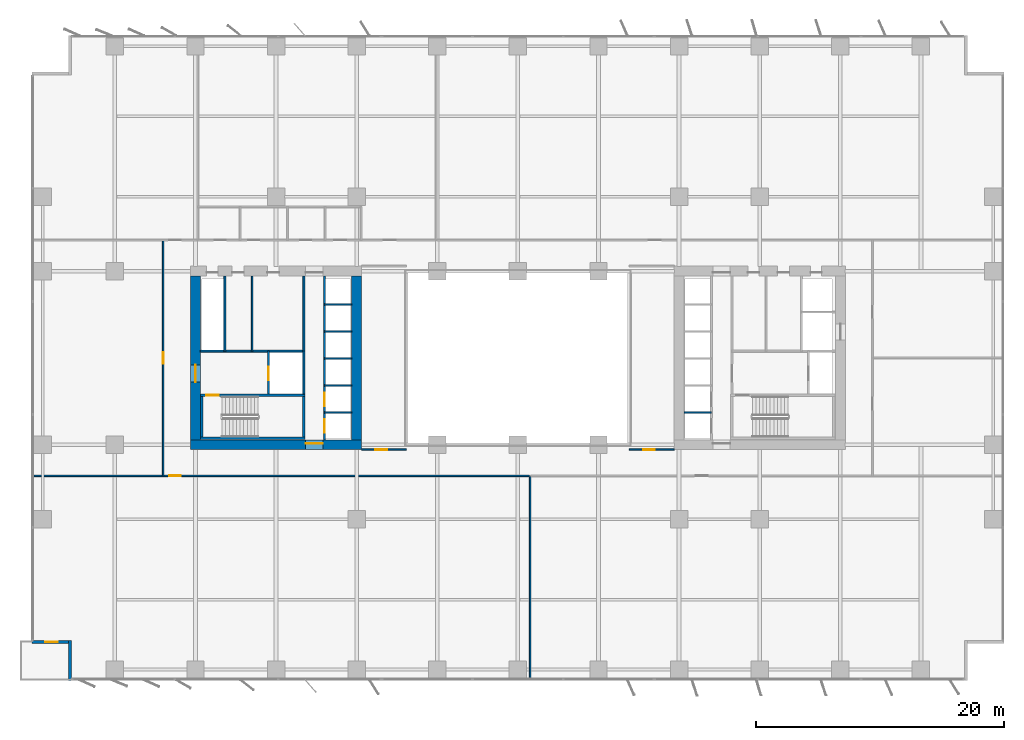
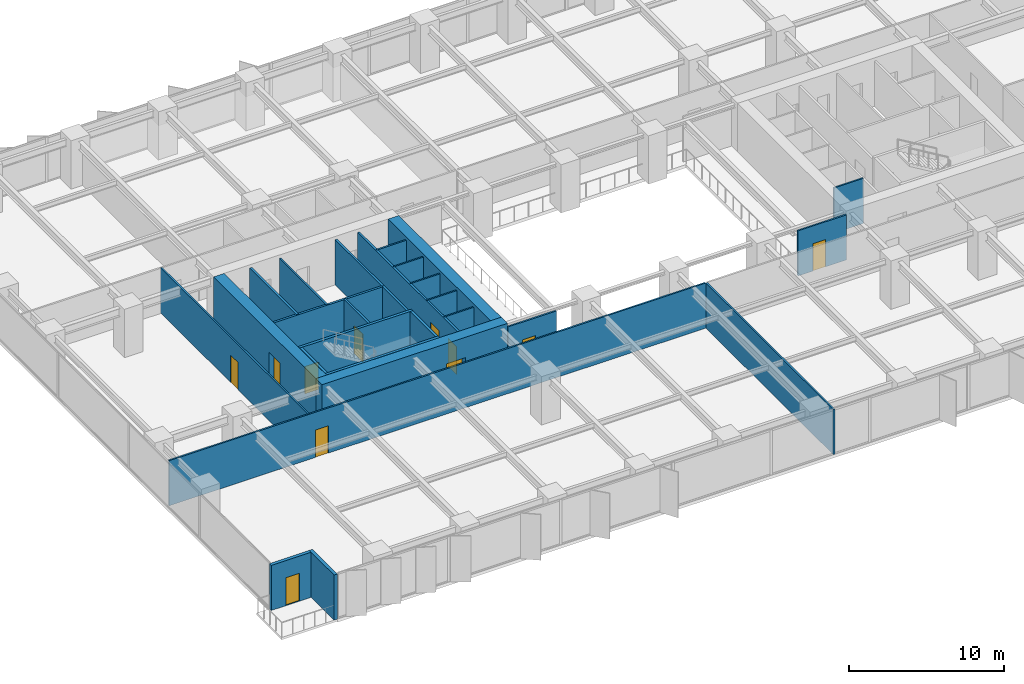
# One storey, part 13 of 20: 27 walls, 11 doors, 11 openings.
"""IFC4 building model written with IfcOpenShell, lengths in metres."""

from ifc_helpers import new_model, si_unit, direction, frame, frame_2d, origin, place, context, subcontext, project, spatial, rectangle, extrude, material, layer, layer_set, type_object, element, fill, save


model = new_model("IFC4")

# Units and contexts
model_context = context("Model", 3, precision=1e-05, world=origin(), true_north=direction((0.0, 1.0)))
body_context = subcontext(model_context, "Body", "Model", "MODEL_VIEW")
ifc_project = project(units=[si_unit("LENGTHUNIT", "METRE"), si_unit("AREAUNIT", "SQUARE_METRE"), si_unit("VOLUMEUNIT", "CUBIC_METRE"), si_unit("PLANEANGLEUNIT", "RADIAN"), si_unit("MASSUNIT", "GRAM", prefix="KILO")], contexts=[model_context])

# Site, building, storey
site_placement = place(None, origin())
site = spatial("IfcSite", under=ifc_project, at=site_placement, CompositionType="ELEMENT")
building_placement = place(site_placement, origin())
building = spatial("IfcBuilding", under=site, at=building_placement, Name="Putna Gate Headquarters", CompositionType="ELEMENT")
storey_placement = place(building_placement, frame((0.0, 0.0, 27.800048828125)))
storey = spatial("IfcBuildingStorey", under=building, at=storey_placement, Name="L05", CompositionType="ELEMENT", Elevation=27.800048828125)

# Wall, opening, door
ifc_material_1 = material(Name="Concrete C60/75", Category="concrete")
ifc_layer_1 = layer(ifc_material_1, 0.800048828125)
ifc_layer_set_1 = layer_set([ifc_layer_1], Name="Concrete C60/75")
wall_type_1 = type_object("IfcWallType", Name="WALL-CORE-800", PredefinedType="SHEAR", material=ifc_layer_set_1)
wall_1_placement = place(storey_placement, frame((12.60009765625, 19.0, 0.0), z_axis=(0.0, 0.0, 1.0), x_axis=(1.0, 0.0, 0.0)))
wall_1 = element("IfcWall", 1, at=wall_1_placement, inside=storey, type_object=wall_type_1, Name="L05 WC Split Core Shear Wall S", PredefinedType="SHEAR", context=body_context, shape_type="SweptSolid", body=[
    extrude(rectangle(XDim=13.7998046875, YDim=0.800048828125, at=frame_2d((6.89990234375, 0.0))), origin(), (0.0, 0.0, 1.0), 3.800048828125),
])
opening_1_placement = place(wall_1_placement, frame((9.280029296875, 0.0, 0.0)))
opening_1 = element("IfcOpeningElement", 2, at=opening_1_placement, cuts=wall_1, Name="Opening FDD-140", PredefinedType="OPENING", context=body_context, shape_type="SweptSolid", body=[
    extrude(rectangle(XDim=1.39990234375, YDim=2.199951171875, at=frame_2d((0.699951171875, 1.10009765625))), frame((0.0, 0.409912109375, 0.0), z_axis=(0.0, -1.0, 0.0), x_axis=(1.0, 0.0, 0.0)), (0.0, 0.0, 1.0), 0.820068359375),
])
ifc_material_2 = material(Name="Double steel fire door", Category="steel")
door_type_1 = type_object("IfcDoorType", Name="DOOR-FIRE-DBL-1400", OperationType="DOUBLE_DOOR_SINGLE_SWING", PredefinedType="DOOR", material=ifc_material_2)
door_1_placement = place(opening_1_placement, origin())
door_1 = element("IfcDoor", 3, at=door_1_placement, inside=storey, type_object=door_type_1, Name="L05 West Lift Lobby South Door", OperationType="DOUBLE_DOOR_SINGLE_SWING", OverallHeight=2.199951171875, OverallWidth=1.39990234375, PredefinedType="DOOR", context=body_context, shape_type="SweptSolid", body=[
    extrude(rectangle(XDim=1.39990234375, YDim=2.199951171875, at=frame_2d((0.699951171875, 1.10009765625))), frame((0.0, 0.125, 0.0), z_axis=(0.0, -1.0, 0.0), x_axis=(1.0, 0.0, 0.0)), (0.0, 0.0, 1.0), 0.050048828125),
])
fill(opening_1, door_1)

wall_2_placement = place(storey_placement, frame((13.0, 19.39990234375, 0.0), z_axis=(0.0, 0.0, 1.0), x_axis=(0.0, 1.0, 0.0)))
wall_2 = element("IfcWall", 4, at=wall_2_placement, inside=storey, type_object=wall_type_1, Name="L05 WC Split Core Shear Wall W", PredefinedType="SHEAR", context=body_context, shape_type="SweptSolid", body=[
    extrude(rectangle(XDim=13.2001953125, YDim=0.800048828125, at=frame_2d((6.60009765625, 0.0))), origin(), (0.0, 0.0, 1.0), 3.800048828125),
])
opening_2_placement = place(wall_2_placement, frame((4.64990234375, 0.0, 0.0)))
opening_2 = element("IfcOpeningElement", 5, at=opening_2_placement, cuts=wall_2, Name="Opening FDD-140", PredefinedType="OPENING", context=body_context, shape_type="SweptSolid", body=[
    extrude(rectangle(XDim=1.39990234375, YDim=2.199951171875, at=frame_2d((0.699951171875, 1.10009765625))), frame((0.0, 0.409912109375, 0.0), z_axis=(0.0, -1.0, 0.0), x_axis=(1.0, 0.0, 0.0)), (0.0, 0.0, 1.0), 0.820068359375),
])
door_2_placement = place(opening_2_placement, origin())
door_2 = element("IfcDoor", 6, at=door_2_placement, inside=storey, type_object=door_type_1, Name="L05 West Firefighting Lobby Door", OperationType="DOUBLE_DOOR_SINGLE_SWING", OverallHeight=2.199951171875, OverallWidth=1.39990234375, PredefinedType="DOOR", context=body_context, shape_type="SweptSolid", body=[
    extrude(rectangle(XDim=1.39990234375, YDim=2.199951171875, at=frame_2d((0.699951171875, 1.10009765625))), frame((0.0, 0.02490234375, 0.0), z_axis=(0.0, -1.0, 0.0), x_axis=(1.0, 0.0, 0.0)), (0.0, 0.0, 1.0), 0.050048828125),
])
fill(opening_2, door_2)

# Walls
wall_3_placement = place(storey_placement, frame((26.0, 19.39990234375, 0.0), z_axis=(0.0, 0.0, 1.0), x_axis=(0.0, 1.0, 0.0)))
element("IfcWall", 7, at=wall_3_placement, inside=storey, type_object=wall_type_1, Name="L05 WC Split Core Shear Wall E", PredefinedType="SHEAR", context=body_context, shape_type="SweptSolid", body=[
    extrude(rectangle(XDim=13.2001953125, YDim=0.800048828125, at=frame_2d((6.60009765625, 0.0))), origin(), (0.0, 0.0, 1.0), 3.800048828125),
])
ifc_material_3 = material(Name="Precast concrete C40/50", Category="concrete")
ifc_layer_2 = layer(ifc_material_3, 0.239990234375)
ifc_layer_set_2 = layer_set([ifc_layer_2], Name="Precast concrete C40/50")
wall_type_2 = type_object("IfcWallType", Name="WALL-EXT-TERR-240", PredefinedType="STANDARD", material=ifc_layer_set_2)
wall_4_placement = place(storey_placement, frame((2.8798828125, 0.0, 0.0), z_axis=(0.0, 0.0, 1.0), x_axis=(0.0, 1.0, 0.0)))
element("IfcWall", 8, at=wall_4_placement, inside=storey, type_object=wall_type_2, Name="L05 Corner Notch Return Wall SW-V", PredefinedType="STANDARD", context=body_context, shape_type="SweptSolid", body=[
    extrude(rectangle(XDim=3.199951171875, YDim=0.239990234375, at=frame_2d((1.60009765625, 0.0))), origin(), (0.0, 0.0, 1.0), 3.550048828125),
])

# Wall, opening, door
wall_5_placement = place(storey_placement, frame((3.0, 3.080078125, 0.0), z_axis=(0.0, 0.0, 1.0), x_axis=(-1.0, 0.0, 0.0)))
wall_5 = element("IfcWall", 9, at=wall_5_placement, inside=storey, type_object=wall_type_2, Name="L05 Corner Notch Return Wall SW-H", PredefinedType="STANDARD", context=body_context, shape_type="SweptSolid", body=[
    extrude(rectangle(XDim=3.199951171875, YDim=0.239990234375, at=frame_2d((1.60009765625, 0.0))), origin(), (0.0, 0.0, 1.0), 3.550048828125),
])
opening_3_placement = place(wall_5_placement, frame((1.10009765625, 0.0, 0.0)))
opening_3 = element("IfcOpeningElement", 10, at=opening_3_placement, cuts=wall_5, Name="Opening TRD-1", PredefinedType="OPENING", context=body_context, shape_type="SweptSolid", body=[
    extrude(rectangle(XDim=1.0, YDim=2.199951171875, at=frame_2d((0.5, 1.10009765625))), frame((0.0, 0.1298828125, 0.0), z_axis=(0.0, -1.0, 0.0), x_axis=(1.0, 0.0, 0.0)), (0.0, 0.0, 1.0), 0.260009765625),
])
ifc_material_4 = material(Name="Thermally broken bronze glazed terrace door")
door_type_2 = type_object("IfcDoorType", Name="DOOR-TERR-EXT-1000", OperationType="NOTDEFINED", PredefinedType="DOOR", material=ifc_material_4)
door_3_placement = place(opening_3_placement, origin())
door_3 = element("IfcDoor", 11, at=door_3_placement, inside=storey, type_object=door_type_2, Name="L05 Spiral Sky Terrace Door SW", OperationType="SINGLE_SWING_LEFT", OverallHeight=2.199951171875, OverallWidth=1.0, PredefinedType="DOOR", context=body_context, shape_type="SweptSolid", body=[
    extrude(rectangle(XDim=1.0, YDim=2.199951171875, at=frame_2d((0.5, 1.10009765625))), frame((0.0, 0.02490234375, 0.0), z_axis=(0.0, -1.0, 0.0), x_axis=(1.0, 0.0, 0.0)), (0.0, 0.0, 1.0), 0.050048828125),
])
fill(opening_3, door_3)

ifc_material_5 = material(Name="Acoustic gypsum board on metal stud")
ifc_layer_3 = layer(ifc_material_5, 0.1201171875)
ifc_layer_set_3 = layer_set([ifc_layer_3], Name="Acoustic gypsum board on metal stud")
wall_type_3 = type_object("IfcWallType", Name="WALL-PART-120", PredefinedType="PARTITIONING", material=ifc_layer_set_3)
wall_6_placement = place(storey_placement, frame((26.39990234375, 18.60009765625, 0.0), z_axis=(0.0, 0.0, 1.0), x_axis=(1.0, 0.0, 0.0)))
wall_6 = element("IfcWall", 12, at=wall_6_placement, inside=storey, type_object=wall_type_3, Name="L05 Interior Wall PART-L05-ATR-W-S", PredefinedType="PARTITIONING", context=body_context, shape_type="SweptSolid", body=[
    extrude(rectangle(XDim=3.60009765625, YDim=0.1201171875, at=frame_2d((1.800048828125, 0.0))), origin(), (0.0, 0.0, 1.0), 3.550048828125),
])
opening_4_placement = place(wall_6_placement, frame((1.10009765625, 0.0, 0.0)))
opening_4 = element("IfcOpeningElement", 13, at=opening_4_placement, cuts=wall_6, Name="Opening ID-95", PredefinedType="OPENING", context=body_context, shape_type="SweptSolid", body=[
    extrude(rectangle(XDim=0.949951171875, YDim=2.14990234375, at=frame_2d((0.47509765625, 1.074951171875))), frame((0.0, 0.070068359375, 0.0), z_axis=(0.0, -1.0, 0.0), x_axis=(1.0, 0.0, 0.0)), (0.0, 0.0, 1.0), 0.14013671875),
])
ifc_material_6 = material(Name="Veneered acoustic timber door", Category="wood")
door_type_3 = type_object("IfcDoorType", Name="DOOR-OFF-950", OperationType="NOTDEFINED", PredefinedType="DOOR", material=ifc_material_6)
door_4_placement = place(opening_4_placement, origin())
door_4 = element("IfcDoor", 14, at=door_4_placement, inside=storey, type_object=door_type_3, Name="L05 West Atrium Gallery Lounge Door", OperationType="SINGLE_SWING_LEFT", OverallHeight=2.14990234375, OverallWidth=0.949951171875, PredefinedType="DOOR", context=body_context, shape_type="SweptSolid", body=[
    extrude(rectangle(XDim=0.949951171875, YDim=2.14990234375, at=frame_2d((0.47509765625, 1.074951171875))), frame((0.0, 0.02490234375, 0.0), z_axis=(0.0, -1.0, 0.0), x_axis=(1.0, 0.0, 0.0)), (0.0, 0.0, 1.0), 0.050048828125),
])
fill(opening_4, door_4)

wall_7_placement = place(storey_placement, frame((48.0, 18.60009765625, 0.0), z_axis=(0.0, 0.0, 1.0), x_axis=(1.0, 0.0, 0.0)))
wall_7 = element("IfcWall", 15, at=wall_7_placement, inside=storey, type_object=wall_type_3, Name="L05 Interior Wall PART-L05-ATR-E-S", PredefinedType="PARTITIONING", context=body_context, shape_type="SweptSolid", body=[
    extrude(rectangle(XDim=3.60009765625, YDim=0.1201171875, at=frame_2d((1.800048828125, 0.0))), origin(), (0.0, 0.0, 1.0), 3.550048828125),
])
opening_5_placement = place(wall_7_placement, frame((1.10009765625, 0.0, 0.0)))
opening_5 = element("IfcOpeningElement", 16, at=opening_5_placement, cuts=wall_7, Name="Opening ID-95", PredefinedType="OPENING", context=body_context, shape_type="SweptSolid", body=[
    extrude(rectangle(XDim=0.949951171875, YDim=2.14990234375, at=frame_2d((0.47509765625, 1.074951171875))), frame((0.0, 0.070068359375, 0.0), z_axis=(0.0, -1.0, 0.0), x_axis=(1.0, 0.0, 0.0)), (0.0, 0.0, 1.0), 0.14013671875),
])
door_5_placement = place(opening_5_placement, origin())
door_5 = element("IfcDoor", 17, at=door_5_placement, inside=storey, type_object=door_type_3, Name="L05 East Atrium Gallery Lounge Door", OperationType="SINGLE_SWING_RIGHT", OverallHeight=2.14990234375, OverallWidth=0.949951171875, PredefinedType="DOOR", context=body_context, shape_type="SweptSolid", body=[
    extrude(rectangle(XDim=0.949951171875, YDim=2.14990234375, at=frame_2d((0.47509765625, 1.074951171875))), frame((0.0, 0.02490234375, 0.0), z_axis=(0.0, -1.0, 0.0), x_axis=(1.0, 0.0, 0.0)), (0.0, 0.0, 1.0), 0.050048828125),
])
fill(opening_5, door_5)

# Walls
wall_8_placement = place(storey_placement, frame((39.9833984375, 0.02001953125, 0.0), z_axis=(0.0, 0.0, 1.0), x_axis=(0.0, 1.0, 0.0)))
element("IfcWall", 18, at=wall_8_placement, inside=storey, type_object=wall_type_3, Name="L05 Interior Wall PART-L05-SB-DIV-01", PredefinedType="PARTITIONING", context=body_context, shape_type="SweptSolid", body=[
    extrude(rectangle(XDim=16.419921875, YDim=0.1201171875, at=frame_2d((8.2099609375, 0.0))), origin(), (0.0, 0.0, 1.0), 3.550048828125),
])
ifc_material_7 = material(Name="Fire-rated shaftwall gypsum board on metal stud")
ifc_layer_4 = layer(ifc_material_7, 0.1201171875)
ifc_layer_set_4 = layer_set([ifc_layer_4], Name="Fire-rated shaftwall gypsum board on metal stud")
wall_type_4 = type_object("IfcWallType", Name="WALL-PART-120-EI120", PredefinedType="PARTITIONING", material=ifc_layer_set_4)
for number, where, z_axis, x_axis, name in (
    (19, (23.39990234375, 21.610107421875, 0.0), (0.0, 0.0, 1.0), (1.0, 0.0, 0.0), "L05 Interior Wall CWINT-L05-WC-LF01-DIV"),
    (20, (23.39990234375, 23.780029296875, 0.0), (0.0, 0.0, 1.0), (1.0, 0.0, 0.0), "L05 Interior Wall CWINT-L05-WC-LF02-DIV"),
    (21, (23.39990234375, 25.949951171875, 0.0), (0.0, 0.0, 1.0), (1.0, 0.0, 0.0), "L05 Interior Wall CWINT-L05-WC-LF05-DIV"),
    (22, (23.39990234375, 28.1201171875, 0.0), (0.0, 0.0, 1.0), (1.0, 0.0, 0.0), "L05 Interior Wall CWINT-L05-WC-LF06-DIV"),
    (23, (23.39990234375, 30.31005859375, 0.0), (0.0, 0.0, 1.0), (1.0, 0.0, 0.0), "L05 Interior Wall CWINT-L05-WC-LF09-DIV"),
    (24, (52.39990234375, 21.610107421875, 0.0), (0.0, 0.0, 1.0), (1.0, 0.0, 0.0), "L05 Interior Wall CWINT-L05-EC-LF03-DIV"),
):
    element("IfcWall", number, at=place(storey_placement, frame(where, z_axis=z_axis, x_axis=x_axis)), inside=storey, type_object=wall_type_4, Name=name, PredefinedType="PARTITIONING", context=body_context, shape_type="SweptSolid", body=[
        extrude(rectangle(XDim=2.2001953125, YDim=0.1201171875, at=frame_2d((1.10009765625, 0.0))), origin(), (0.0, 0.0, 1.0), 3.550048828125),
    ])
ifc_material_8 = material(Name="Fire-rated gypsum board on metal stud")
ifc_layer_5 = layer(ifc_material_8, 0.1201171875)
ifc_layer_set_5 = layer_set([ifc_layer_5], Name="Fire-rated gypsum board on metal stud")
wall_type_5 = type_object("IfcWallType", Name="WALL-PART-120-RATED", PredefinedType="PARTITIONING", material=ifc_layer_set_5)
wall_9_placement = place(storey_placement, frame((17.570068359375, 26.56005859375, 0.0), z_axis=(0.0, 0.0, 1.0), x_axis=(0.0, 1.0, 0.0)))
element("IfcWall", 25, at=wall_9_placement, inside=storey, type_object=wall_type_5, Name="L05 Interior Wall CWINT-L05-WC-K1-DIV", PredefinedType="PARTITIONING", context=body_context, shape_type="SweptSolid", body=[
    extrude(rectangle(XDim=6.0400390625, YDim=0.1201171875, at=frame_2d((3.02001953125, 0.0))), origin(), (0.0, 0.0, 1.0), 3.550048828125),
])

# Wall, opening, door
wall_10_placement = place(storey_placement, frame((-0.02001953125, 16.5, 0.0), z_axis=(0.0, 0.0, 1.0), x_axis=(1.0, 0.0, 0.0)))
wall_10 = element("IfcWall", 26, at=wall_10_placement, inside=storey, type_object=wall_type_5, Name="L05 Interior Wall PART-L05-SB-CW-01", PredefinedType="PARTITIONING", context=body_context, shape_type="SweptSolid", body=[
    extrude(rectangle(XDim=39.943359375, YDim=0.1201171875, at=frame_2d((19.9716796875, 0.0))), origin(), (0.0, 0.0, 1.0), 3.550048828125),
])
opening_6_placement = place(wall_10_placement, frame((10.89990234375, 0.0, 0.0)))
opening_6 = element("IfcOpeningElement", 27, at=opening_6_placement, cuts=wall_10, Name="Opening FD-95", PredefinedType="OPENING", context=body_context, shape_type="SweptSolid", body=[
    extrude(rectangle(XDim=0.949951171875, YDim=2.14990234375, at=frame_2d((0.47509765625, 1.074951171875))), frame((0.0, 0.070068359375, 0.0), z_axis=(0.0, -1.0, 0.0), x_axis=(1.0, 0.0, 0.0)), (0.0, 0.0, 1.0), 0.14013671875),
])
ifc_material_9 = material(Name="Acoustic timber fire door", Category="wood")
door_type_4 = type_object("IfcDoorType", Name="DOOR-FIRE-950", OperationType="NOTDEFINED", PredefinedType="DOOR", material=ifc_material_9)
door_6_placement = place(opening_6_placement, origin())
door_6 = element("IfcDoor", 28, at=door_6_placement, inside=storey, type_object=door_type_4, Name="L05 Quiet Wellness Focus Studio 1 Door", OperationType="SINGLE_SWING_RIGHT", OverallHeight=2.14990234375, OverallWidth=0.949951171875, PredefinedType="DOOR", context=body_context, shape_type="SweptSolid", body=[
    extrude(rectangle(XDim=0.949951171875, YDim=2.14990234375, at=frame_2d((0.47509765625, 1.074951171875))), frame((0.0, 0.02490234375, 0.0), z_axis=(0.0, -1.0, 0.0), x_axis=(1.0, 0.0, 0.0)), (0.0, 0.0, 1.0), 0.050048828125),
])
fill(opening_6, door_6)

wall_11_placement = place(storey_placement, frame((10.39990234375, 16.5, 0.0), z_axis=(0.0, 0.0, 1.0), x_axis=(0.0, 1.0, 0.0)))
wall_11 = element("IfcWall", 29, at=wall_11_placement, inside=storey, type_object=wall_type_5, Name="L05 Interior Wall PART-L05-WW-CW-1", PredefinedType="PARTITIONING", context=body_context, shape_type="SweptSolid", body=[
    extrude(rectangle(XDim=19.0, YDim=0.1201171875, at=frame_2d((9.5, 0.0))), origin(), (0.0, 0.0, 1.0), 3.550048828125),
])
opening_7_placement = place(wall_11_placement, frame((9.02490234375, 0.0, 0.0)))
opening_7 = element("IfcOpeningElement", 30, at=opening_7_placement, cuts=wall_11, Name="Opening FD-95", PredefinedType="OPENING", context=body_context, shape_type="SweptSolid", body=[
    extrude(rectangle(XDim=0.949951171875, YDim=2.14990234375, at=frame_2d((0.47509765625, 1.074951171875))), frame((0.0, 0.070068359375, 0.0), z_axis=(0.0, -1.0, 0.0), x_axis=(1.0, 0.0, 0.0)), (0.0, 0.0, 1.0), 0.14013671875),
])
door_7_placement = place(opening_7_placement, origin())
door_7 = element("IfcDoor", 31, at=door_7_placement, inside=storey, type_object=door_type_4, Name="L05 West Project Meeting Room 1 Door", OperationType="SINGLE_SWING_RIGHT", OverallHeight=2.14990234375, OverallWidth=0.949951171875, PredefinedType="DOOR", context=body_context, shape_type="SweptSolid", body=[
    extrude(rectangle(XDim=0.949951171875, YDim=2.14990234375, at=frame_2d((0.47509765625, 1.074951171875))), frame((0.0, 0.02490234375, 0.0), z_axis=(0.0, -1.0, 0.0), x_axis=(1.0, 0.0, 0.0)), (0.0, 0.0, 1.0), 0.050048828125),
])
fill(opening_7, door_7)

# Wall
ifc_material_10 = material(Name="Concrete C40/50", Category="concrete")
ifc_layer_6 = layer(ifc_material_10, 0.159912109375)
ifc_layer_set_6 = layer_set([ifc_layer_6], Name="Concrete C40/50")
wall_type_6 = type_object("IfcWallType", Name="WALL-SHAFT-160", PredefinedType="STANDARD", material=ifc_layer_set_6)
wall_12_placement = place(storey_placement, frame((21.739990234375, 23.090087890625, 0.0), z_axis=(0.0, 0.0, 1.0), x_axis=(0.0, 1.0, 0.0)))
element("IfcWall", 32, at=wall_12_placement, inside=storey, type_object=wall_type_6, Name="L05 Interior Wall CWINT-L05-WC-FFL-E", PredefinedType="STANDARD", context=body_context, shape_type="SweptSolid", body=[
    extrude(rectangle(XDim=3.469970703125, YDim=0.159912109375, at=frame_2d((1.73486328125, 0.0))), origin(), (0.0, 0.0, 1.0), 3.550048828125),
])

# Wall, opening, door
wall_13_placement = place(storey_placement, frame((18.8798828125, 23.090087890625, 0.0), z_axis=(0.0, 0.0, 1.0), x_axis=(0.0, 1.0, 0.0)))
wall_13 = element("IfcWall", 33, at=wall_13_placement, inside=storey, type_object=wall_type_6, Name="L05 Interior Wall CWINT-L05-WC-LF13-W", PredefinedType="STANDARD", context=body_context, shape_type="SweptSolid", body=[
    extrude(rectangle(XDim=3.469970703125, YDim=0.159912109375, at=frame_2d((1.73486328125, 0.0))), origin(), (0.0, 0.0, 1.0), 3.550048828125),
])
opening_8_placement = place(wall_13_placement, frame((1.10009765625, 0.0, 0.0)))
opening_8 = element("IfcOpeningElement", 34, at=opening_8_placement, cuts=wall_13, Name="Opening LD-1", PredefinedType="OPENING", context=body_context, shape_type="SweptSolid", body=[
    extrude(rectangle(XDim=1.10009765625, YDim=2.199951171875, at=frame_2d((0.550048828125, 1.10009765625))), frame((0.0, 0.08984375, 0.0), z_axis=(0.0, -1.0, 0.0), x_axis=(1.0, 0.0, 0.0)), (0.0, 0.0, 1.0), 0.179931640625),
])
ifc_material_11 = material(Name="Brushed bronze stainless lift landing door")
door_type_5 = type_object("IfcDoorType", Name="DOOR-LIFT-1100", OperationType="DOUBLE_DOOR_SLIDING", PredefinedType="DOOR", material=ifc_material_11)
door_8_placement = place(opening_8_placement, origin())
door_8 = element("IfcDoor", 35, at=door_8_placement, inside=storey, type_object=door_type_5, Name="L05 Lift Landing Door LD-13", OperationType="DOUBLE_DOOR_SLIDING", OverallHeight=2.199951171875, OverallWidth=1.10009765625, PredefinedType="DOOR", context=body_context, shape_type="SweptSolid", body=[
    extrude(rectangle(XDim=1.10009765625, YDim=2.199951171875, at=frame_2d((0.550048828125, 1.10009765625))), frame((0.0, 0.02490234375, 0.0), z_axis=(0.0, -1.0, 0.0), x_axis=(1.0, 0.0, 0.0)), (0.0, 0.0, 1.0), 0.050048828125),
])
fill(opening_8, door_8)

# Walls
wall_14_placement = place(storey_placement, frame((13.39990234375, 26.56005859375, 0.0), z_axis=(0.0, 0.0, 1.0), x_axis=(1.0, 0.0, 0.0)))
element("IfcWall", 36, at=wall_14_placement, inside=storey, type_object=wall_type_6, Name="L05 Interior Wall CWINT-L05-WC-FFL-N", PredefinedType="STANDARD", context=body_context, shape_type="SweptSolid", body=[
    extrude(rectangle(XDim=8.340087890625, YDim=0.159912109375, at=frame_2d((4.169921875, 0.0))), origin(), (0.0, 0.0, 1.0), 3.550048828125),
])
for number, where, z_axis, x_axis, name in (
    (37, (15.3798828125, 26.56005859375, 0.0), (0.0, 0.0, 1.0), (0.0, 1.0, 0.0), "L05 Interior Wall CWINT-L05-WC-RISER-E"),
    (38, (21.739990234375, 26.56005859375, 0.0), (0.0, 0.0, 1.0), (0.0, 1.0, 0.0), "L05 Interior Wall CWINT-L05-WC-LOB-W"),
):
    element("IfcWall", number, at=place(storey_placement, frame(where, z_axis=z_axis, x_axis=x_axis)), inside=storey, type_object=wall_type_6, Name=name, PredefinedType="STANDARD", context=body_context, shape_type="SweptSolid", body=[
        extrude(rectangle(XDim=6.0400390625, YDim=0.159912109375, at=frame_2d((3.02001953125, 0.0))), origin(), (0.0, 0.0, 1.0), 3.550048828125),
    ])

# Wall, openings, doors
wall_15_placement = place(storey_placement, frame((23.39990234375, 19.39990234375, 0.0), z_axis=(0.0, 0.0, 1.0), x_axis=(0.0, 1.0, 0.0)))
wall_15 = element("IfcWall", 39, at=wall_15_placement, inside=storey, type_object=wall_type_6, Name="L05 Interior Wall CWINT-L05-WC-PL-WALL", PredefinedType="STANDARD", context=body_context, shape_type="SweptSolid", body=[
    extrude(rectangle(XDim=13.2001953125, YDim=0.159912109375, at=frame_2d((6.60009765625, 0.0))), origin(), (0.0, 0.0, 1.0), 3.550048828125),
])
opening_9_placement = place(wall_15_placement, frame((0.550048828125, 0.0, 0.0)))
opening_9 = element("IfcOpeningElement", 40, at=opening_9_placement, cuts=wall_15, Name="Opening LD-1", PredefinedType="OPENING", context=body_context, shape_type="SweptSolid", body=[
    extrude(rectangle(XDim=1.10009765625, YDim=2.199951171875, at=frame_2d((0.550048828125, 1.10009765625))), frame((0.0, 0.08984375, 0.0), z_axis=(0.0, -1.0, 0.0), x_axis=(1.0, 0.0, 0.0)), (0.0, 0.0, 1.0), 0.179931640625),
])
opening_10_placement = place(wall_15_placement, frame((2.699951171875, 0.0, 0.0)))
opening_10 = element("IfcOpeningElement", 41, at=opening_10_placement, cuts=wall_15, Name="Opening LD-1", PredefinedType="OPENING", context=body_context, shape_type="SweptSolid", body=[
    extrude(rectangle(XDim=1.10009765625, YDim=2.199951171875, at=frame_2d((0.550048828125, 1.10009765625))), frame((0.0, 0.08984375, 0.0), z_axis=(0.0, -1.0, 0.0), x_axis=(1.0, 0.0, 0.0)), (0.0, 0.0, 1.0), 0.179931640625),
])
door_9_placement = place(opening_9_placement, origin())
door_9 = element("IfcDoor", 42, at=door_9_placement, inside=storey, type_object=door_type_5, Name="L05 Lift Landing Door LD-01", OperationType="DOUBLE_DOOR_SLIDING", OverallHeight=2.199951171875, OverallWidth=1.10009765625, PredefinedType="DOOR", context=body_context, shape_type="SweptSolid", body=[
    extrude(rectangle(XDim=1.10009765625, YDim=2.199951171875, at=frame_2d((0.550048828125, 1.10009765625))), frame((0.0, 0.02490234375, 0.0), z_axis=(0.0, -1.0, 0.0), x_axis=(1.0, 0.0, 0.0)), (0.0, 0.0, 1.0), 0.050048828125),
])
fill(opening_9, door_9)
door_10_placement = place(opening_10_placement, origin())
door_10 = element("IfcDoor", 43, at=door_10_placement, inside=storey, type_object=door_type_5, Name="L05 Lift Landing Door LD-02", OperationType="DOUBLE_DOOR_SLIDING", OverallHeight=2.199951171875, OverallWidth=1.10009765625, PredefinedType="DOOR", context=body_context, shape_type="SweptSolid", body=[
    extrude(rectangle(XDim=1.10009765625, YDim=2.199951171875, at=frame_2d((0.550048828125, 1.10009765625))), frame((0.0, 0.02490234375, 0.0), z_axis=(0.0, -1.0, 0.0), x_axis=(1.0, 0.0, 0.0)), (0.0, 0.0, 1.0), 0.050048828125),
])
fill(opening_10, door_10)

# Wall
ifc_layer_7 = layer(ifc_material_10, 0.199951171875)
ifc_layer_set_7 = layer_set([ifc_layer_7], Name="Concrete C40/50")
wall_type_7 = type_object("IfcWallType", Name="WALL-SHAFT-RC200", PredefinedType="SHEAR", material=ifc_layer_set_7)
wall_16_placement = place(storey_placement, frame((13.409912109375, 19.510009765625, 0.0), z_axis=(0.0, 0.0, 1.0), x_axis=(1.0, 0.0, 0.0)))
element("IfcWall", 44, at=wall_16_placement, inside=storey, type_object=wall_type_7, Name="L05 Stair ST1 Structural Shaft Wall S", PredefinedType="SHEAR", context=body_context, shape_type="SweptSolid", body=[
    extrude(rectangle(XDim=8.43017578125, YDim=0.199951171875, at=frame_2d((4.215087890625, 0.0))), origin(), (0.0, 0.0, 1.0), 3.800048828125),
])

# Wall, opening, door
wall_17_placement = place(storey_placement, frame((13.409912109375, 22.989990234375, 0.0), z_axis=(0.0, 0.0, 1.0), x_axis=(1.0, 0.0, 0.0)))
wall_17 = element("IfcWall", 45, at=wall_17_placement, inside=storey, type_object=wall_type_7, Name="L05 Stair ST1 Structural Shaft Wall N", PredefinedType="SHEAR", context=body_context, shape_type="SweptSolid", body=[
    extrude(rectangle(XDim=8.43017578125, YDim=0.199951171875, at=frame_2d((4.215087890625, 0.0))), origin(), (0.0, 0.0, 1.0), 3.800048828125),
])
opening_11_placement = place(wall_17_placement, frame((0.449951171875, 0.0, 0.0)))
opening_11 = element("IfcOpeningElement", 46, at=opening_11_placement, cuts=wall_17, Name="Opening FD-100", PredefinedType="OPENING", context=body_context, shape_type="SweptSolid", body=[
    extrude(rectangle(XDim=1.0, YDim=2.14990234375, at=frame_2d((0.5, 1.074951171875))), frame((0.0, 0.10986328125, 0.0), z_axis=(0.0, -1.0, 0.0), x_axis=(1.0, 0.0, 0.0)), (0.0, 0.0, 1.0), 0.219970703125),
])
ifc_material_12 = material(Name="Powder-coated steel fire door", Category="steel")
door_type_6 = type_object("IfcDoorType", Name="DOOR-FIRE-1000", OperationType="NOTDEFINED", PredefinedType="DOOR", material=ifc_material_12)
door_11_placement = place(opening_11_placement, origin())
door_11 = element("IfcDoor", 47, at=door_11_placement, inside=storey, type_object=door_type_6, Name="L05 Stair ST1 Fire Door", OperationType="SINGLE_SWING_LEFT", OverallHeight=2.14990234375, OverallWidth=1.0, PredefinedType="DOOR", context=body_context, shape_type="SweptSolid", body=[
    extrude(rectangle(XDim=1.0, YDim=2.14990234375, at=frame_2d((0.5, 1.074951171875))), frame((0.0, 0.02490234375, 0.0), z_axis=(0.0, -1.0, 0.0), x_axis=(1.0, 0.0, 0.0)), (0.0, 0.0, 1.0), 0.050048828125),
])
fill(opening_11, door_11)

# Walls
for number, where, z_axis, x_axis, name in (
    (48, (13.510009765625, 19.610107421875, 0.0), (0.0, 0.0, 1.0), (0.0, 1.0, 0.0), "L05 Stair ST1 Structural Shaft Wall W"),
    (49, (21.739990234375, 19.610107421875, 0.0), (0.0, 0.0, 1.0), (0.0, 1.0, 0.0), "L05 Stair ST1 Structural Shaft Wall E"),
):
    element("IfcWall", number, at=place(storey_placement, frame(where, z_axis=z_axis, x_axis=x_axis)), inside=storey, type_object=wall_type_7, Name=name, PredefinedType="SHEAR", context=body_context, shape_type="SweptSolid", body=[
        extrude(rectangle(XDim=3.27978515625, YDim=0.199951171875, at=frame_2d((1.639892578125, 0.0))), origin(), (0.0, 0.0, 1.0), 3.800048828125),
    ])

save(model, "model.ifc")
